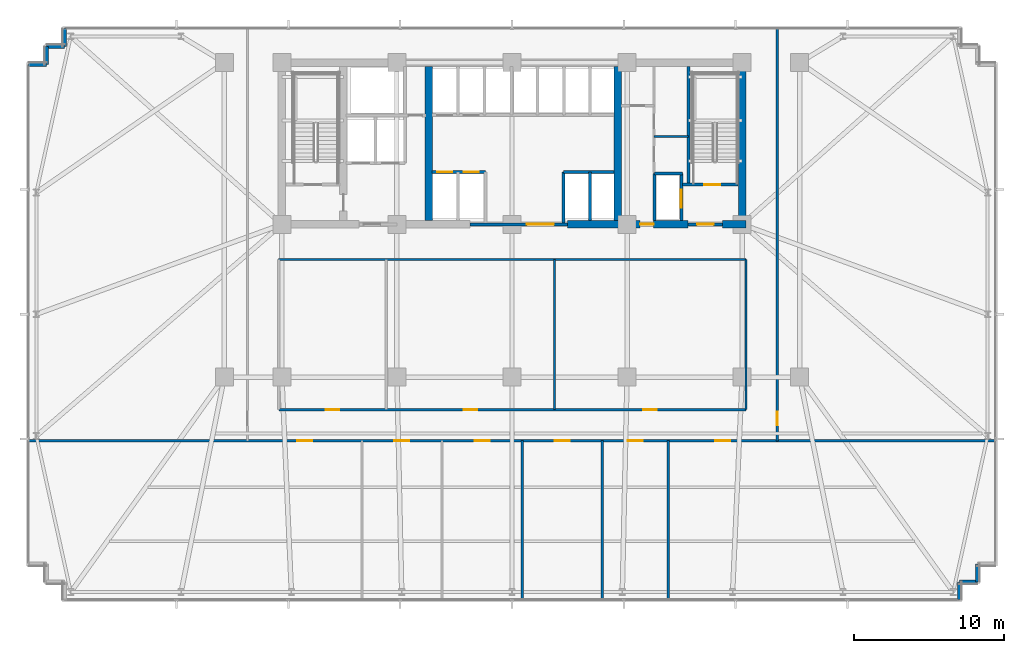
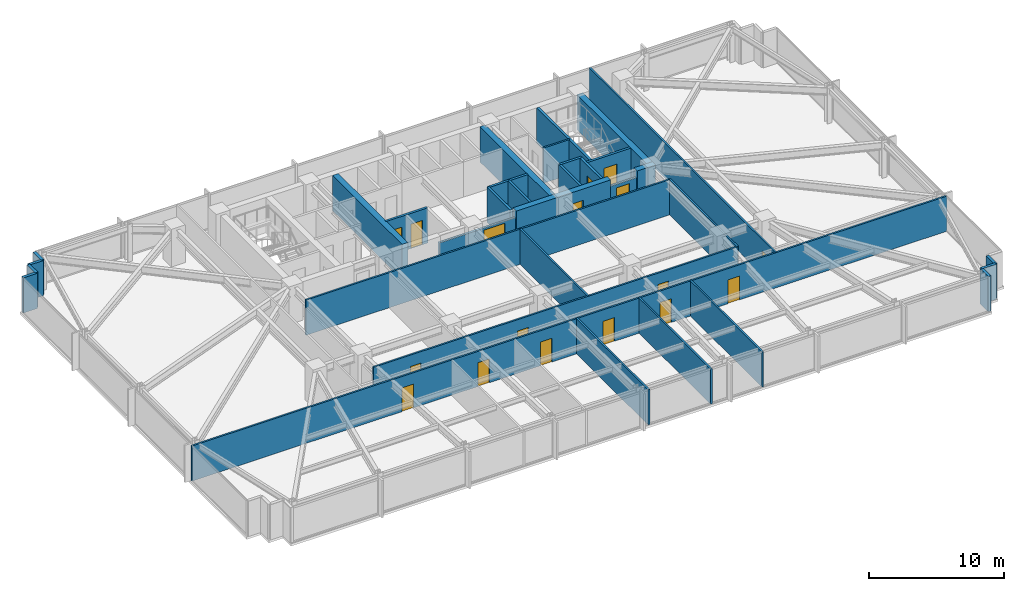
# One storey, part 25 of 32: 33 walls, 17 doors, 17 openings.
"""IFC4 building model written with IfcOpenShell, lengths in metres."""

import ifcopenshell
import ifcopenshell.guid

model = None  # the IFC model being written
_history = None  # IfcOwnerHistory: only IFC2X3 demands one
_inside = {}  # id of a spatial element -> (the spatial element, [elements in it])
_under = {}  # id of a project, library or spatial element -> (it, [spatial elements below it])
_declared = {}  # id of a project -> (the project, [libraries it declares])
_typed = {}  # id of a type object -> (the type object, [elements of that type])
_made_of = {}  # id of a material, layer set ... -> (it, [elements and type objects made of it])


def new_model(schema):
    """Start an empty IFC model of exactly this schema.

    Asked for "IFC4X3", IfcOpenShell would pick the latest addendum, in which some entities
    have other attributes; the version numbers below select the first issue.
    IFC2X3 requires an IfcOwnerHistory on every rooted entity: one is made here for all.
    """
    global model, _history
    if schema == "IFC4X3":
        model = ifcopenshell.file(schema_version=(4, 3, 0, 0))
    else:
        model = ifcopenshell.file(schema=schema)
    _inside.clear()
    _under.clear()
    _declared.clear()
    _typed.clear()
    _made_of.clear()
    _history = None
    if model.schema == "IFC2X3":
        org = make("IfcOrganization", Name="unknown")
        user = make(
            "IfcPersonAndOrganization",
            ThePerson=make("IfcPerson", FamilyName="unknown"),
            TheOrganization=org,
        )
        app = make(
            "IfcApplication",
            ApplicationDeveloper=org,
            Version="unknown",
            ApplicationFullName="unknown",
            ApplicationIdentifier="unknown",
        )
        _history = make(
            "IfcOwnerHistory",
            OwningUser=user,
            OwningApplication=app,
            ChangeAction="ADDED",
            CreationDate=0,
        )
    return model


def make(cls, **values):
    """One entity of the class cls with the attributes given. An attribute that is None is left unset."""
    return model.create_entity(
        cls, **{name: value for name, value in values.items() if value is not None}
    )


def rooted(cls, **values):
    """An entity with a GlobalId (a new one), such as an element, a storey or a relation."""
    return make(cls, GlobalId=ifcopenshell.guid.new(), OwnerHistory=_history, **values)


def si_unit(unit_type, name, prefix=None):
    """IfcSIUnit, for example si_unit("LENGTHUNIT", "METRE", prefix="MILLI")."""
    return make("IfcSIUnit", UnitType=unit_type, Prefix=prefix, Name=name)


def assignment(units):
    """IfcUnitAssignment: the units of a project."""
    return None if units is None else make("IfcUnitAssignment", Units=units)


def point(xyz):
    """IfcCartesianPoint."""
    return None if xyz is None else make("IfcCartesianPoint", Coordinates=xyz)


def direction(xyz):
    """IfcDirection."""
    return None if xyz is None else make("IfcDirection", DirectionRatios=xyz)


def frame(location, z_axis=None, x_axis=None):
    """IfcAxis2Placement3D, a coordinate frame: its origin and axes. An axis left out is left unset."""
    return make(
        "IfcAxis2Placement3D",
        Location=point(location),
        Axis=direction(z_axis),
        RefDirection=direction(x_axis),
    )


def frame_2d(location, x_axis=None):
    """IfcAxis2Placement2D, a coordinate frame in the plane: its origin and x axis."""
    return make(
        "IfcAxis2Placement2D", Location=point(location), RefDirection=direction(x_axis)
    )


def origin():
    """The frame at (0, 0, 0) with its axes left unset."""
    return frame((0.0, 0.0, 0.0))


def place(relative_to, where):
    """IfcLocalPlacement: puts the frame where relative to a parent placement (None: the world)."""
    return make(
        "IfcLocalPlacement", PlacementRelTo=relative_to, RelativePlacement=where
    )


def context(
    kind, dimensions, precision=None, world=None, true_north=None, identifier=None
):
    """IfcGeometricRepresentationContext, for example the 3D "Model" context."""
    return make(
        "IfcGeometricRepresentationContext",
        ContextIdentifier=identifier,
        ContextType=kind,
        CoordinateSpaceDimension=dimensions,
        Precision=precision,
        WorldCoordinateSystem=world,
        TrueNorth=true_north,
    )


def subcontext(parent, identifier, kind, view, scale=None):
    """IfcGeometricRepresentationSubContext, for example "Body" below "Model"."""
    return make(
        "IfcGeometricRepresentationSubContext",
        ContextIdentifier=identifier,
        ContextType=kind,
        ParentContext=parent,
        TargetScale=scale,
        TargetView=view,
    )


def project(units=None, contexts=None):
    """IfcProject with its units and contexts."""
    return rooted(
        "IfcProject",
        Name="project",
        RepresentationContexts=contexts,
        UnitsInContext=assignment(units),
    )


def spatial(cls, under=None, at=None, **own):
    """A site, building, storey or space (cls), placed at a placement, below another one or the project."""
    s = rooted(cls, ObjectPlacement=at, **own)
    if under is not None:
        _under.setdefault(under.id(), (under, []))[1].append(s)
    return s


def profile(cls, at=None, kind="AREA", **sizes):
    """A parametric profile (cls). Its sizes go by their IFC names, for example OverallWidth=200.0."""
    return make(cls, ProfileType=kind, Position=at, **sizes)


def rectangle(**sizes):
    """IfcRectangleProfileDef."""
    return profile("IfcRectangleProfileDef", **sizes)


def extrude(swept, where, along, depth):
    """IfcExtrudedAreaSolid: the profile swept, set in the frame where, extruded along a direction by depth."""
    return make(
        "IfcExtrudedAreaSolid",
        SweptArea=swept,
        Position=where,
        ExtrudedDirection=direction(along),
        Depth=depth,
    )


def shape(context_of_items, identifier, shape_type, items):
    """IfcShapeRepresentation: the items that make up one representation, for example the "Body"."""
    return make(
        "IfcShapeRepresentation",
        ContextOfItems=context_of_items,
        RepresentationIdentifier=identifier,
        RepresentationType=shape_type,
        Items=items,
    )


def material(Name=None, Category=None):
    """IfcMaterial."""
    return make("IfcMaterial", Name=Name, Category=Category)


def layer(
    of_material, thickness, ventilated=None, Name=None, Category=None, Priority=None
):
    """IfcMaterialLayer: one layer of a wall or slab, of a material (None: an air gap)."""
    return make(
        "IfcMaterialLayer",
        Material=of_material,
        LayerThickness=thickness,
        IsVentilated=ventilated,
        Name=Name,
        Category=Category,
        Priority=Priority,
    )


def layer_set(layers, Name=None):
    """IfcMaterialLayerSet."""
    return make("IfcMaterialLayerSet", MaterialLayers=layers, LayerSetName=Name)


def made_of(thing, what):
    """Note that an element or type object is made of a material, layer set ...; save() writes the relation."""
    if what is not None:
        _made_of.setdefault(what.id(), (what, []))[1].append(thing)
    return thing


def type_object(cls, material=None, **own):
    """A type object (cls), such as IfcWallType, which elements share."""
    return made_of(rooted(cls, **own), material)


def element(
    cls,
    number,
    at=None,
    inside=None,
    cuts=None,
    type_object=None,
    material=None,
    context=None,
    identifier="Body",
    shape_type=None,
    held_by="IfcProductDefinitionShape",
    body=None,
    shapes=None,
    **own,
):
    """One element of the class cls, such as IfcWall. Its Tag is "e" and its number.

    at: its placement. inside: the storey or other place that contains it. cuts: it is an
    opening in that element (IfcRelVoidsElement). A single representation is given by context,
    identifier, shape_type and body (its items); several are given by shapes. held_by: the class
    of the entity that holds the representations. save() writes the other relations.
    """
    e = rooted(cls, Tag="e%d" % number, ObjectPlacement=at, **own)
    if body is not None:
        shapes = [shape(context, identifier, shape_type, body)]
    if shapes is not None:
        e.Representation = make(held_by, Representations=shapes)
    if inside is not None:
        _inside.setdefault(inside.id(), (inside, []))[1].append(e)
    if cuts is not None:
        rooted(
            "IfcRelVoidsElement", RelatingBuildingElement=cuts, RelatedOpeningElement=e
        )
    if type_object is not None:
        _typed.setdefault(type_object.id(), (type_object, []))[1].append(e)
    return made_of(e, material)


def fill(opening, filler):
    """IfcRelFillsElement: the door or window that sits in an opening."""
    return rooted(
        "IfcRelFillsElement",
        RelatingOpeningElement=opening,
        RelatedBuildingElement=filler,
    )


def aggregate(whole, parts):
    """IfcRelAggregates: a whole, such as a stair, and the parts it consists of."""
    return rooted("IfcRelAggregates", RelatingObject=whole, RelatedObjects=parts)


def save(model, path):
    """Write the relations noted so far, then the file.

    IfcRelAggregates (storeys below a building ...), IfcRelContainedInSpatialStructure (elements
    in a storey), IfcRelDefinesByType, IfcRelAssociatesMaterial and IfcRelDeclares: one each for
    every whole, place, type object, material and project.
    """
    for whole, parts in _under.values():
        aggregate(whole, parts)
    for where, things in _inside.values():
        rooted(
            "IfcRelContainedInSpatialStructure",
            RelatedElements=things,
            RelatingStructure=where,
        )
    for kind, things in _typed.values():
        rooted("IfcRelDefinesByType", RelatedObjects=things, RelatingType=kind)
    for what, things in _made_of.values():
        rooted("IfcRelAssociatesMaterial", RelatedObjects=things, RelatingMaterial=what)
    for by, libraries in _declared.values():
        rooted("IfcRelDeclares", RelatingContext=by, RelatedDefinitions=libraries)
    model.write(path)


model = new_model("IFC4")

# Units and contexts
model_context = context("Model", 3, precision=1e-05, world=origin(), true_north=direction((0.0, 1.0)))
body_context = subcontext(model_context, "Body", "Model", "MODEL_VIEW")
ifc_project = project(units=[si_unit("LENGTHUNIT", "METRE"), si_unit("AREAUNIT", "SQUARE_METRE"), si_unit("VOLUMEUNIT", "CUBIC_METRE"), si_unit("PLANEANGLEUNIT", "RADIAN"), si_unit("MASSUNIT", "GRAM", prefix="KILO")], contexts=[model_context])

# Site, building, storey
site_placement = place(None, origin())
site = spatial("IfcSite", under=ifc_project, at=site_placement, CompositionType="ELEMENT")
building_placement = place(site_placement, origin())
building = spatial("IfcBuilding", under=site, at=building_placement, Name="Yelkora Congress Tower", CompositionType="ELEMENT")
storey_placement = place(building_placement, frame((0.0, 0.0, 40.60009765625)))
storey = spatial("IfcBuildingStorey", under=building, at=storey_placement, Name="L09", CompositionType="ELEMENT", Elevation=40.60009765625)

# Wall
ifc_material_1 = material(Name="Concrete C50/60", Category="concrete")
ifc_layer_1 = layer(ifc_material_1, 0.219970703125)
ifc_layer_set_1 = layer_set([ifc_layer_1], Name="Concrete C50/60")
wall_type_1 = type_object("IfcWallType", Name="WALL-CORE-INT-220", PredefinedType="SHEAR", material=ifc_layer_set_1)
wall_1_placement = place(storey_placement, frame((50.179931640625, 38.050048828125, 0.0), z_axis=(0.0, 0.0, 1.0), x_axis=(0.0, 1.0, 0.0)))
element("IfcWall", 1, at=wall_1_placement, inside=storey, type_object=wall_type_1, Name="L09 ST02 West Stair Shear Wall", PredefinedType="SHEAR", context=body_context, shape_type="SweptSolid", body=[
    extrude(rectangle(XDim=7.89990234375, YDim=0.219970703125, at=frame_2d((3.949951171875, 0.0))), origin(), (0.0, 0.0, 1.0), 3.179931640625),
])

# Wall, opening, door
ifc_material_2 = material(Name="Concrete C60/75", Category="concrete")
ifc_layer_2 = layer(ifc_material_2, 0.5)
ifc_layer_set_2 = layer_set([ifc_layer_2], Name="Concrete C60/75")
wall_type_2 = type_object("IfcWallType", Name="WALL-CORE-INT-500", PredefinedType="SHEAR", material=ifc_layer_set_2)
wall_2_placement = place(storey_placement, frame((42.10009765625, 35.39990234375, 0.0), z_axis=(0.0, 0.0, 1.0), x_axis=(1.0, 0.0, 0.0)))
wall_2 = element("IfcWall", 2, at=wall_2_placement, inside=storey, type_object=wall_type_2, Name="L09 Rear Core South-East Shear Wall A", PredefinedType="SHEAR", context=body_context, shape_type="SweptSolid", body=[
    extrude(rectangle(XDim=8.0498046875, YDim=0.5, at=frame_2d((4.02490234375, 0.0))), origin(), (0.0, 0.0, 1.0), 3.179931640625),
])
opening_1_placement = place(wall_2_placement, frame((4.85009765625, 0.0, 0.0)))
opening_1 = element("IfcOpeningElement", 3, at=opening_1_placement, cuts=wall_2, Name="Opening DR-090F6", PredefinedType="OPENING", context=body_context, shape_type="SweptSolid", body=[
    extrude(rectangle(XDim=0.89990234375, YDim=2.14990234375, at=frame_2d((0.449951171875, 1.074951171875))), frame((0.0, 0.260009765625, 0.0), z_axis=(0.0, -1.0, 0.0), x_axis=(1.0, 0.0, 0.0)), (0.0, 0.0, 1.0), 0.52001953125),
])
ifc_material_3 = material(Name="Painted steel riser fire door leaf", Category="steel")
door_type_1 = type_object("IfcDoorType", Name="DOOR-FD60-900", OperationType="NOTDEFINED", PredefinedType="DOOR", material=ifc_material_3)
door_1_placement = place(opening_1_placement, origin())
door_1 = element("IfcDoor", 4, at=door_1_placement, inside=storey, type_object=door_type_1, Name="L09 Core Washroom Lobby Door", OperationType="SINGLE_SWING_RIGHT", OverallHeight=2.14990234375, OverallWidth=0.89990234375, PredefinedType="DOOR", context=body_context, shape_type="SweptSolid", body=[
    extrude(rectangle(XDim=0.89990234375, YDim=2.14990234375, at=frame_2d((0.449951171875, 1.074951171875))), frame((0.0, 0.02490234375, 0.0), z_axis=(0.0, -1.0, 0.0), x_axis=(1.0, 0.0, 0.0)), (0.0, 0.0, 1.0), 0.050048828125),
])
fill(opening_1, door_1)

# Walls
wall_3_placement = place(storey_placement, frame((52.449951171875, 35.39990234375, 0.0), z_axis=(0.0, 0.0, 1.0), x_axis=(1.0, 0.0, 0.0)))
element("IfcWall", 5, at=wall_3_placement, inside=storey, type_object=wall_type_2, Name="L09 Rear Core South-East Shear Wall B", PredefinedType="SHEAR", context=body_context, shape_type="SweptSolid", body=[
    extrude(rectangle(XDim=1.56005859375, YDim=0.5, at=frame_2d((0.780029296875, 0.0))), origin(), (0.0, 0.0, 1.0), 3.179931640625),
])
for number, where, z_axis, x_axis, name in (
    (6, (32.85009765625, 35.64990234375, 0.0), (0.0, 0.0, 1.0), (0.0, 1.0, 0.0), "L09 Rear Core Cross Shear Wall C2"),
    (7, (45.449951171875, 35.64990234375, 0.0), (0.0, 0.0, 1.0), (0.0, 1.0, 0.0), "L09 Rear Core Cross Shear Wall C3"),
    (8, (53.760009765625, 35.64990234375, 0.0), (0.0, 0.0, 1.0), (0.0, 1.0, 0.0), "L09 Rear Core Cross Shear Wall E"),
):
    element("IfcWall", number, at=place(storey_placement, frame(where, z_axis=z_axis, x_axis=x_axis)), inside=storey, type_object=wall_type_2, Name=name, PredefinedType="SHEAR", context=body_context, shape_type="SweptSolid", body=[
        extrude(rectangle(XDim=10.300048828125, YDim=0.5, at=frame_2d((5.14990234375, 0.0))), origin(), (0.0, 0.0, 1.0), 3.179931640625),
    ])
ifc_material_4 = material(Name="Concrete C40/50", Category="concrete")
ifc_layer_3 = layer(ifc_material_4, 0.239990234375)
ifc_layer_set_3 = layer_set([ifc_layer_3], Name="Concrete C40/50")
wall_type_3 = type_object("IfcWallType", Name="WALL-EXT-LIMESTONE-240", PredefinedType="SOLIDWALL", material=ifc_layer_set_3)
wall_4_placement = place(storey_placement, frame((6.139892578125, 46.06005859375, 0.0), z_axis=(0.0, 0.0, 1.0), x_axis=(1.0, 0.0, 0.0)))
element("IfcWall", 9, at=wall_4_placement, inside=storey, type_object=wall_type_3, Name="L09 Serrated Corner Limestone Pier 6", PredefinedType="SOLIDWALL", context=body_context, shape_type="SweptSolid", body=[
    extrude(rectangle(XDim=1.2001953125, YDim=0.239990234375, at=frame_2d((0.60009765625, 0.0))), origin(), (0.0, 0.0, 1.0), 3.179931640625),
])
for number, where, z_axis, x_axis, name in (
    (10, (7.340087890625, 46.06005859375, 0.0), (0.0, 0.0, 1.0), (0.0, 1.0, 0.0), "L09 Serrated Corner Limestone Pier 7"),
    (11, (7.340087890625, 47.260009765625, 0.0), (0.0, 0.0, 1.0), (1.0, 0.0, 0.0), "L09 Serrated Corner Limestone Pier 8"),
    (12, (8.5400390625, 47.260009765625, 0.0), (0.0, 0.0, 1.0), (0.0, 1.0, 0.0), "L09 Serrated Corner Limestone Pier 9"),
    (13, (69.4599609375, 12.739990234375, 0.0), (0.0, 0.0, 1.0), (0.0, -1.0, 0.0), "L09 Serrated Corner Limestone Pier 17"),
    (14, (69.4599609375, 11.5400390625, 0.0), (0.0, 0.0, 1.0), (-1.0, 0.0, 0.0), "L09 Serrated Corner Limestone Pier 18"),
    (15, (68.260009765625, 11.5400390625, 0.0), (0.0, 0.0, 1.0), (0.0, -1.0, 0.0), "L09 Serrated Corner Limestone Pier 19"),
):
    element("IfcWall", number, at=place(storey_placement, frame(where, z_axis=z_axis, x_axis=x_axis)), inside=storey, type_object=wall_type_3, Name=name, PredefinedType="SOLIDWALL", context=body_context, shape_type="SweptSolid", body=[
        extrude(rectangle(XDim=1.199951171875, YDim=0.239990234375, at=frame_2d((0.60009765625, 0.0))), origin(), (0.0, 0.0, 1.0), 3.179931640625),
    ])
ifc_material_5 = material(Name="Acoustic metal-stud gypsum partition", Category="gypsum")
ifc_layer_4 = layer(ifc_material_5, 0.14990234375)
ifc_layer_set_4 = layer_set([ifc_layer_4], Name="Acoustic metal-stud gypsum partition")
wall_type_4 = type_object("IfcWallType", Name="WALL-INT-150-NR", PredefinedType="PARTITIONING", material=ifc_layer_set_4)
wall_5_placement = place(storey_placement, frame((47.8798828125, 41.260009765625, 0.0), z_axis=(0.0, 0.0, 1.0), x_axis=(1.0, 0.0, 0.0)))
element("IfcWall", 16, at=wall_5_placement, inside=storey, type_object=wall_type_4, Name="L09 Partition Wall 29", PredefinedType="PARTITIONING", context=body_context, shape_type="SweptSolid", body=[
    extrude(rectangle(XDim=2.300048828125, YDim=0.14990234375, at=frame_2d((1.14990234375, 0.0))), origin(), (0.0, 0.0, 1.0), 3.179931640625),
])
for number, where, z_axis, x_axis, name in (
    (17, (39.075927734375, 10.280029296875, 0.0), (0.0, 0.0, 1.0), (0.0, 1.0, 0.0), "L09 Partition Wall 33"),
    (18, (44.422119140625, 10.280029296875, 0.0), (0.0, 0.0, 1.0), (0.0, 1.0, 0.0), "L09 Partition Wall 34"),
    (19, (48.824951171875, 10.280029296875, 0.0), (0.0, 0.0, 1.0), (0.0, 1.0, 0.0), "L09 Partition Wall 35"),
):
    element("IfcWall", number, at=place(storey_placement, frame(where, z_axis=z_axis, x_axis=x_axis)), inside=storey, type_object=wall_type_4, Name=name, PredefinedType="PARTITIONING", context=body_context, shape_type="SweptSolid", body=[
        extrude(rectangle(XDim=10.68994140625, YDim=0.14990234375, at=frame_2d((5.344970703125, 0.0))), origin(), (0.0, 0.0, 1.0), 3.179931640625),
    ])

# Wall, openings, doors
wall_6_placement = place(storey_placement, frame((6.080078125, 20.949951171875, 0.0), z_axis=(0.0, 0.0, 1.0), x_axis=(1.0, 0.0, 0.0)))
wall_6 = element("IfcWall", 20, at=wall_6_placement, inside=storey, type_object=wall_type_4, Name="L09 South Spine Wall", PredefinedType="PARTITIONING", context=body_context, shape_type="SweptSolid", body=[
    extrude(rectangle(XDim=64.639892578125, YDim=0.14990234375, at=frame_2d((32.31982421875, 0.0))), origin(), (0.0, 0.0, 1.0), 3.179931640625),
])
opening_2_placement = place(wall_6_placement, frame((17.986572265625, 0.0, 0.0)))
opening_2 = element("IfcOpeningElement", 21, at=opening_2_placement, cuts=wall_6, Name="Opening DR-100N", PredefinedType="OPENING", context=body_context, shape_type="SweptSolid", body=[
    extrude(rectangle(XDim=1.0, YDim=2.14990234375, at=frame_2d((0.5, 1.074951171875))), frame((0.0, 0.0849609375, 0.0), z_axis=(0.0, -1.0, 0.0), x_axis=(1.0, 0.0, 0.0)), (0.0, 0.0, 1.0), 0.169921875),
])
opening_3_placement = place(wall_6_placement, frame((24.4765625, 0.0, 0.0)))
opening_3 = element("IfcOpeningElement", 22, at=opening_3_placement, cuts=wall_6, Name="Opening DR-100N", PredefinedType="OPENING", context=body_context, shape_type="SweptSolid", body=[
    extrude(rectangle(XDim=1.0, YDim=2.14990234375, at=frame_2d((0.5, 1.074951171875))), frame((0.0, 0.0849609375, 0.0), z_axis=(0.0, -1.0, 0.0), x_axis=(1.0, 0.0, 0.0)), (0.0, 0.0, 1.0), 0.169921875),
])
opening_4_placement = place(wall_6_placement, frame((29.822998046875, 0.0, 0.0)))
opening_4 = element("IfcOpeningElement", 23, at=opening_4_placement, cuts=wall_6, Name="Opening DR-100N", PredefinedType="OPENING", context=body_context, shape_type="SweptSolid", body=[
    extrude(rectangle(XDim=1.0, YDim=2.14990234375, at=frame_2d((0.5, 1.074951171875))), frame((0.0, 0.0849609375, 0.0), z_axis=(0.0, -1.0, 0.0), x_axis=(1.0, 0.0, 0.0)), (0.0, 0.0, 1.0), 0.169921875),
])
opening_5_placement = place(wall_6_placement, frame((35.1689453125, 0.0, 0.0)))
opening_5 = element("IfcOpeningElement", 24, at=opening_5_placement, cuts=wall_6, Name="Opening DR-100N", PredefinedType="OPENING", context=body_context, shape_type="SweptSolid", body=[
    extrude(rectangle(XDim=1.0, YDim=2.14990234375, at=frame_2d((0.5, 1.074951171875))), frame((0.0, 0.0849609375, 0.0), z_axis=(0.0, -1.0, 0.0), x_axis=(1.0, 0.0, 0.0)), (0.0, 0.0, 1.0), 0.169921875),
])
opening_6_placement = place(wall_6_placement, frame((40.04345703125, 0.0, 0.0)))
opening_6 = element("IfcOpeningElement", 25, at=opening_6_placement, cuts=wall_6, Name="Opening DR-100N", PredefinedType="OPENING", context=body_context, shape_type="SweptSolid", body=[
    extrude(rectangle(XDim=1.0, YDim=2.14990234375, at=frame_2d((0.5, 1.074951171875))), frame((0.0, 0.0849609375, 0.0), z_axis=(0.0, -1.0, 0.0), x_axis=(1.0, 0.0, 0.0)), (0.0, 0.0, 1.0), 0.169921875),
])
opening_7_placement = place(wall_6_placement, frame((45.882568359375, 0.0, 0.0)))
opening_7 = element("IfcOpeningElement", 26, at=opening_7_placement, cuts=wall_6, Name="Opening DR-100N", PredefinedType="OPENING", context=body_context, shape_type="SweptSolid", body=[
    extrude(rectangle(XDim=1.0, YDim=2.14990234375, at=frame_2d((0.5, 1.074951171875))), frame((0.0, 0.0849609375, 0.0), z_axis=(0.0, -1.0, 0.0), x_axis=(1.0, 0.0, 0.0)), (0.0, 0.0, 1.0), 0.169921875),
])
ifc_material_6 = material(Name="Solid-core Anatolian oak veneer door", Category="wood")
door_type_2 = type_object("IfcDoorType", Name="DOOR-INT-1000", OperationType="NOTDEFINED", PredefinedType="DOOR", material=ifc_material_6)
door_2_placement = place(opening_2_placement, origin())
door_2 = element("IfcDoor", 27, at=door_2_placement, inside=storey, type_object=door_type_2, Name="L09 Pantry & Servery Door", OperationType="SINGLE_SWING_LEFT", OverallHeight=2.14990234375, OverallWidth=1.0, PredefinedType="DOOR", context=body_context, shape_type="SweptSolid", body=[
    extrude(rectangle(XDim=1.0, YDim=2.14990234375, at=frame_2d((0.5, 1.074951171875))), frame((0.0, 0.02490234375, 0.0), z_axis=(0.0, -1.0, 0.0), x_axis=(1.0, 0.0, 0.0)), (0.0, 0.0, 1.0), 0.050048828125),
])
fill(opening_2, door_2)
door_3_placement = place(opening_3_placement, origin())
door_3 = element("IfcDoor", 28, at=door_3_placement, inside=storey, type_object=door_type_2, Name="L09 Open-Plan Office Door", OperationType="SINGLE_SWING_RIGHT", OverallHeight=2.14990234375, OverallWidth=1.0, PredefinedType="DOOR", context=body_context, shape_type="SweptSolid", body=[
    extrude(rectangle(XDim=1.0, YDim=2.14990234375, at=frame_2d((0.5, 1.074951171875))), frame((0.0, 0.02490234375, 0.0), z_axis=(0.0, -1.0, 0.0), x_axis=(1.0, 0.0, 0.0)), (0.0, 0.0, 1.0), 0.050048828125),
])
fill(opening_3, door_3)
door_4_placement = place(opening_4_placement, origin())
door_4 = element("IfcDoor", 29, at=door_4_placement, inside=storey, type_object=door_type_2, Name="L09 Wellness Study Room Door", OperationType="SINGLE_SWING_LEFT", OverallHeight=2.14990234375, OverallWidth=1.0, PredefinedType="DOOR", context=body_context, shape_type="SweptSolid", body=[
    extrude(rectangle(XDim=1.0, YDim=2.14990234375, at=frame_2d((0.5, 1.074951171875))), frame((0.0, 0.02490234375, 0.0), z_axis=(0.0, -1.0, 0.0), x_axis=(1.0, 0.0, 0.0)), (0.0, 0.0, 1.0), 0.050048828125),
])
fill(opening_4, door_4)
door_5_placement = place(opening_5_placement, origin())
door_5 = element("IfcDoor", 30, at=door_5_placement, inside=storey, type_object=door_type_2, Name="L09 Store Print Door", OperationType="SINGLE_SWING_RIGHT", OverallHeight=2.14990234375, OverallWidth=1.0, PredefinedType="DOOR", context=body_context, shape_type="SweptSolid", body=[
    extrude(rectangle(XDim=1.0, YDim=2.14990234375, at=frame_2d((0.5, 1.074951171875))), frame((0.0, 0.02490234375, 0.0), z_axis=(0.0, -1.0, 0.0), x_axis=(1.0, 0.0, 0.0)), (0.0, 0.0, 1.0), 0.050048828125),
])
fill(opening_5, door_5)
door_6_placement = place(opening_6_placement, origin())
door_6 = element("IfcDoor", 31, at=door_6_placement, inside=storey, type_object=door_type_2, Name="L09 Conference Boardroom Door", OperationType="SINGLE_SWING_LEFT", OverallHeight=2.14990234375, OverallWidth=1.0, PredefinedType="DOOR", context=body_context, shape_type="SweptSolid", body=[
    extrude(rectangle(XDim=1.0, YDim=2.14990234375, at=frame_2d((0.5, 1.074951171875))), frame((0.0, 0.02490234375, 0.0), z_axis=(0.0, -1.0, 0.0), x_axis=(1.0, 0.0, 0.0)), (0.0, 0.0, 1.0), 0.050048828125),
])
fill(opening_6, door_6)
door_7_placement = place(opening_7_placement, origin())
door_7 = element("IfcDoor", 32, at=door_7_placement, inside=storey, type_object=door_type_2, Name="L09 Conference Boardroom Door", OperationType="SINGLE_SWING_RIGHT", OverallHeight=2.14990234375, OverallWidth=1.0, PredefinedType="DOOR", context=body_context, shape_type="SweptSolid", body=[
    extrude(rectangle(XDim=1.0, YDim=2.14990234375, at=frame_2d((0.5, 1.074951171875))), frame((0.0, 0.02490234375, 0.0), z_axis=(0.0, -1.0, 0.0), x_axis=(1.0, 0.0, 0.0)), (0.0, 0.0, 1.0), 0.050048828125),
])
fill(opening_7, door_7)

# Wall, opening, door
wall_7_placement = place(storey_placement, frame((56.10009765625, 20.949951171875, 0.0), z_axis=(0.0, 0.0, 1.0), x_axis=(0.0, 1.0, 0.0)))
wall_7 = element("IfcWall", 33, at=wall_7_placement, inside=storey, type_object=wall_type_4, Name="L09 Partition Wall 38", PredefinedType="PARTITIONING", context=body_context, shape_type="SweptSolid", body=[
    extrude(rectangle(XDim=27.570068359375, YDim=0.14990234375, at=frame_2d((13.78515625, 0.0))), origin(), (0.0, 0.0, 1.0), 3.179931640625),
])
opening_8_placement = place(wall_7_placement, frame((1.030029296875, 0.0, 0.0)))
opening_8 = element("IfcOpeningElement", 34, at=opening_8_placement, cuts=wall_7, Name="Opening DR-090N", PredefinedType="OPENING", context=body_context, shape_type="SweptSolid", body=[
    extrude(rectangle(XDim=0.89990234375, YDim=2.14990234375, at=frame_2d((0.449951171875, 1.074951171875))), frame((0.0, 0.0849609375, 0.0), z_axis=(0.0, -1.0, 0.0), x_axis=(1.0, 0.0, 0.0)), (0.0, 0.0, 1.0), 0.169921875),
])
ifc_material_7 = material(Name="Moisture-resistant laminate door leaf", Category="wood")
door_type_3 = type_object("IfcDoorType", Name="DOOR-INT-900", OperationType="NOTDEFINED", PredefinedType="DOOR", material=ifc_material_7)
door_8_placement = place(opening_8_placement, origin())
door_8 = element("IfcDoor", 35, at=door_8_placement, inside=storey, type_object=door_type_3, Name="L09 E Wing Door", OperationType="SINGLE_SWING_RIGHT", OverallHeight=2.14990234375, OverallWidth=0.89990234375, PredefinedType="DOOR", context=body_context, shape_type="SweptSolid", body=[
    extrude(rectangle(XDim=0.89990234375, YDim=2.14990234375, at=frame_2d((0.449951171875, 1.074951171875))), frame((0.0, 0.02490234375, 0.0), z_axis=(0.0, -1.0, 0.0), x_axis=(1.0, 0.0, 0.0)), (0.0, 0.0, 1.0), 0.050048828125),
])
fill(opening_8, door_8)

# Walls
wall_8_placement = place(storey_placement, frame((54.02001953125, 23.030029296875, 0.0), z_axis=(0.0, 0.0, 1.0), x_axis=(0.0, 1.0, 0.0)))
element("IfcWall", 36, at=wall_8_placement, inside=storey, type_object=wall_type_4, Name="L09 Partition Wall 40", PredefinedType="PARTITIONING", context=body_context, shape_type="SweptSolid", body=[
    extrude(rectangle(XDim=10.02001953125, YDim=0.14990234375, at=frame_2d((5.010009765625, 0.0))), origin(), (0.0, 0.0, 1.0), 3.179931640625),
])
wall_9_placement = place(storey_placement, frame((22.830078125, 33.050048828125, 0.0), z_axis=(0.0, 0.0, 1.0), x_axis=(1.0, 0.0, 0.0)))
element("IfcWall", 37, at=wall_9_placement, inside=storey, type_object=wall_type_4, Name="L09 Partition Wall 41", PredefinedType="PARTITIONING", context=body_context, shape_type="SweptSolid", body=[
    extrude(rectangle(XDim=31.18994140625, YDim=0.14990234375, at=frame_2d((15.594970703125, 0.0))), origin(), (0.0, 0.0, 1.0), 3.179931640625),
])
wall_10_placement = place(storey_placement, frame((41.22998046875, 23.030029296875, 0.0), z_axis=(0.0, 0.0, 1.0), x_axis=(0.0, 1.0, 0.0)))
element("IfcWall", 38, at=wall_10_placement, inside=storey, type_object=wall_type_4, Name="L09 Partition Wall 43", PredefinedType="PARTITIONING", context=body_context, shape_type="SweptSolid", body=[
    extrude(rectangle(XDim=10.02001953125, YDim=0.14990234375, at=frame_2d((5.010009765625, 0.0))), origin(), (0.0, 0.0, 1.0), 3.179931640625),
])

# Wall, openings, doors
wall_11_placement = place(storey_placement, frame((22.840087890625, 23.030029296875, 0.0), z_axis=(0.0, 0.0, 1.0), x_axis=(1.0, 0.0, 0.0)))
wall_11 = element("IfcWall", 39, at=wall_11_placement, inside=storey, type_object=wall_type_4, Name="L09 Partition Wall 44", PredefinedType="PARTITIONING", context=body_context, shape_type="SweptSolid", body=[
    extrude(rectangle(XDim=31.169921875, YDim=0.14990234375, at=frame_2d((15.5849609375, 0.0))), origin(), (0.0, 0.0, 1.0), 3.179931640625),
])
opening_9_placement = place(wall_11_placement, frame((3.134521484375, 0.0, 0.0)))
opening_9 = element("IfcOpeningElement", 40, at=opening_9_placement, cuts=wall_11, Name="Opening DR-090N", PredefinedType="OPENING", context=body_context, shape_type="SweptSolid", body=[
    extrude(rectangle(XDim=0.89990234375, YDim=2.14990234375, at=frame_2d((0.449951171875, 1.074951171875))), frame((0.0, 0.0849609375, 0.0), z_axis=(0.0, -1.0, 0.0), x_axis=(1.0, 0.0, 0.0)), (0.0, 0.0, 1.0), 0.169921875),
])
opening_10_placement = place(wall_11_placement, frame((12.32958984375, 0.0, 0.0)))
opening_10 = element("IfcOpeningElement", 41, at=opening_10_placement, cuts=wall_11, Name="Opening DR-090N", PredefinedType="OPENING", context=body_context, shape_type="SweptSolid", body=[
    extrude(rectangle(XDim=0.89990234375, YDim=2.14990234375, at=frame_2d((0.449951171875, 1.074951171875))), frame((0.0, 0.0849609375, 0.0), z_axis=(0.0, -1.0, 0.0), x_axis=(1.0, 0.0, 0.0)), (0.0, 0.0, 1.0), 0.169921875),
])
opening_11_placement = place(wall_11_placement, frame((24.330078125, 0.0, 0.0)))
opening_11 = element("IfcOpeningElement", 42, at=opening_11_placement, cuts=wall_11, Name="Opening DR-090N", PredefinedType="OPENING", context=body_context, shape_type="SweptSolid", body=[
    extrude(rectangle(XDim=0.89990234375, YDim=2.14990234375, at=frame_2d((0.449951171875, 1.074951171875))), frame((0.0, 0.0849609375, 0.0), z_axis=(0.0, -1.0, 0.0), x_axis=(1.0, 0.0, 0.0)), (0.0, 0.0, 1.0), 0.169921875),
])
door_9_placement = place(opening_9_placement, origin())
door_9 = element("IfcDoor", 43, at=door_9_placement, inside=storey, type_object=door_type_3, Name="L09 Executive Boardroom Door", OperationType="SINGLE_SWING_LEFT", OverallHeight=2.14990234375, OverallWidth=0.89990234375, PredefinedType="DOOR", context=body_context, shape_type="SweptSolid", body=[
    extrude(rectangle(XDim=0.89990234375, YDim=2.14990234375, at=frame_2d((0.449951171875, 1.074951171875))), frame((0.0, 0.02490234375, 0.0), z_axis=(0.0, -1.0, 0.0), x_axis=(1.0, 0.0, 0.0)), (0.0, 0.0, 1.0), 0.050048828125),
])
fill(opening_9, door_9)
door_10_placement = place(opening_10_placement, origin())
door_10 = element("IfcDoor", 44, at=door_10_placement, inside=storey, type_object=door_type_3, Name="L09 Huddle Seminar Room Door", OperationType="SINGLE_SWING_RIGHT", OverallHeight=2.14990234375, OverallWidth=0.89990234375, PredefinedType="DOOR", context=body_context, shape_type="SweptSolid", body=[
    extrude(rectangle(XDim=0.89990234375, YDim=2.14990234375, at=frame_2d((0.449951171875, 1.074951171875))), frame((0.0, 0.02490234375, 0.0), z_axis=(0.0, -1.0, 0.0), x_axis=(1.0, 0.0, 0.0)), (0.0, 0.0, 1.0), 0.050048828125),
])
fill(opening_10, door_10)
door_11_placement = place(opening_11_placement, origin())
door_11 = element("IfcDoor", 45, at=door_11_placement, inside=storey, type_object=door_type_3, Name="L09 Breakout Training Room Door", OperationType="SINGLE_SWING_LEFT", OverallHeight=2.14990234375, OverallWidth=0.89990234375, PredefinedType="DOOR", context=body_context, shape_type="SweptSolid", body=[
    extrude(rectangle(XDim=0.89990234375, YDim=2.14990234375, at=frame_2d((0.449951171875, 1.074951171875))), frame((0.0, 0.02490234375, 0.0), z_axis=(0.0, -1.0, 0.0), x_axis=(1.0, 0.0, 0.0)), (0.0, 0.0, 1.0), 0.050048828125),
])
fill(opening_11, door_11)

# Wall, opening, door
ifc_material_8 = material(Name="Autoclaved aerated concrete blockwork", Category="masonry")
ifc_layer_5 = layer(ifc_material_8, 0.199951171875)
ifc_layer_set_5 = layer_set([ifc_layer_5], Name="Autoclaved aerated concrete blockwork")
wall_type_5 = type_object("IfcWallType", Name="WALL-INT-200-R120", PredefinedType="PARTITIONING", material=ifc_layer_set_5)
wall_12_placement = place(storey_placement, frame((35.60009765625, 35.39990234375, 0.0), z_axis=(0.0, 0.0, 1.0), x_axis=(1.0, 0.0, 0.0)))
wall_12 = element("IfcWall", 46, at=wall_12_placement, inside=storey, type_object=wall_type_5, Name="L09 Main Lift Lobby South Portal Wall", PredefinedType="PARTITIONING", context=body_context, shape_type="SweptSolid", body=[
    extrude(rectangle(XDim=6.5, YDim=0.199951171875, at=frame_2d((3.25, 0.0))), origin(), (0.0, 0.0, 1.0), 2.474853515625),
])
opening_12_placement = place(wall_12_placement, frame((3.800048828125, 0.0, 0.0)))
opening_12 = element("IfcOpeningElement", 47, at=opening_12_placement, cuts=wall_12, Name="Opening DR-180D", PredefinedType="OPENING", context=body_context, shape_type="SweptSolid", body=[
    extrude(rectangle(XDim=1.800048828125, YDim=2.300048828125, at=frame_2d((0.89990234375, 1.14990234375))), frame((0.0, 0.10986328125, 0.0), z_axis=(0.0, -1.0, 0.0), x_axis=(1.0, 0.0, 0.0)), (0.0, 0.0, 1.0), 0.219970703125),
])
ifc_material_9 = material(Name="Acoustic double congress hall doors", Category="wood")
door_type_4 = type_object("IfcDoorType", Name="DOOR-DBL-1800", OperationType="DOUBLE_DOOR_SINGLE_SWING", PredefinedType="DOOR", material=ifc_material_9)
door_12_placement = place(opening_12_placement, origin())
door_12 = element("IfcDoor", 48, at=door_12_placement, inside=storey, type_object=door_type_4, Name="L09 Main Lift Lobby Portal Door", OperationType="DOUBLE_DOOR_SINGLE_SWING", OverallHeight=2.300048828125, OverallWidth=1.800048828125, PredefinedType="DOOR", context=body_context, shape_type="SweptSolid", body=[
    extrude(rectangle(XDim=1.800048828125, YDim=2.300048828125, at=frame_2d((0.89990234375, 1.14990234375))), frame((0.0, 0.02490234375, 0.0), z_axis=(0.0, -1.0, 0.0), x_axis=(1.0, 0.0, 0.0)), (0.0, 0.0, 1.0), 0.050048828125),
])
fill(opening_12, door_12)

# Wall, openings, doors
wall_13_placement = place(storey_placement, frame((33.050048828125, 38.89990234375, 0.0), z_axis=(0.0, 0.0, 1.0), x_axis=(1.0, 0.0, 0.0)))
wall_13 = element("IfcWall", 49, at=wall_13_placement, inside=storey, type_object=wall_type_5, Name="L09 Partition Wall 11", PredefinedType="PARTITIONING", context=body_context, shape_type="SweptSolid", body=[
    extrude(rectangle(XDim=3.570068359375, YDim=0.199951171875, at=frame_2d((1.78515625, 0.0))), origin(), (0.0, 0.0, 1.0), 3.179931640625),
])
opening_13_placement = place(wall_13_placement, frame((0.375, 0.0, 0.0)))
opening_13 = element("IfcOpeningElement", 50, at=opening_13_placement, cuts=wall_13, Name="Opening LD-PS10", PredefinedType="OPENING", context=body_context, shape_type="SweptSolid", body=[
    extrude(rectangle(XDim=1.0, YDim=2.199951171875, at=frame_2d((0.5, 1.10009765625))), frame((0.0, 0.10986328125, 0.0), z_axis=(0.0, -1.0, 0.0), x_axis=(1.0, 0.0, 0.0)), (0.0, 0.0, 1.0), 0.219970703125),
])
opening_14_placement = place(wall_13_placement, frame((2.125, 0.0, 0.0)))
opening_14 = element("IfcOpeningElement", 51, at=opening_14_placement, cuts=wall_13, Name="Opening LD-PS10", PredefinedType="OPENING", context=body_context, shape_type="SweptSolid", body=[
    extrude(rectangle(XDim=1.0, YDim=2.199951171875, at=frame_2d((0.5, 1.10009765625))), frame((0.0, 0.10986328125, 0.0), z_axis=(0.0, -1.0, 0.0), x_axis=(1.0, 0.0, 0.0)), (0.0, 0.0, 1.0), 0.219970703125),
])
ifc_material_10 = material(Name="Champagne stainless steel landing door", Category="steel")
door_type_5 = type_object("IfcDoorType", Name="DOOR-LIFT-PAS-1000", OperationType="DOUBLE_DOOR_SLIDING", PredefinedType="DOOR", material=ifc_material_10)
door_13_placement = place(opening_13_placement, origin())
door_13 = element("IfcDoor", 52, at=door_13_placement, inside=storey, type_object=door_type_5, Name="Lift Landing Door LF-P1 L09", OperationType="DOUBLE_DOOR_SLIDING", OverallHeight=2.199951171875, OverallWidth=1.0, PredefinedType="DOOR", context=body_context, shape_type="SweptSolid", body=[
    extrude(rectangle(XDim=1.0, YDim=2.199951171875, at=frame_2d((0.5, 1.10009765625))), frame((0.0, 0.02490234375, 0.0), z_axis=(0.0, -1.0, 0.0), x_axis=(1.0, 0.0, 0.0)), (0.0, 0.0, 1.0), 0.050048828125),
])
fill(opening_13, door_13)
door_14_placement = place(opening_14_placement, origin())
door_14 = element("IfcDoor", 53, at=door_14_placement, inside=storey, type_object=door_type_5, Name="Lift Landing Door LF-P2 L09", OperationType="DOUBLE_DOOR_SLIDING", OverallHeight=2.199951171875, OverallWidth=1.0, PredefinedType="DOOR", context=body_context, shape_type="SweptSolid", body=[
    extrude(rectangle(XDim=1.0, YDim=2.199951171875, at=frame_2d((0.5, 1.10009765625))), frame((0.0, 0.02490234375, 0.0), z_axis=(0.0, -1.0, 0.0), x_axis=(1.0, 0.0, 0.0)), (0.0, 0.0, 1.0), 0.050048828125),
])
fill(opening_14, door_14)

# Walls
wall_14_placement = place(storey_placement, frame((41.85009765625, 38.89990234375, 0.0), z_axis=(0.0, 0.0, 1.0), x_axis=(1.0, 0.0, 0.0)))
element("IfcWall", 54, at=wall_14_placement, inside=storey, type_object=wall_type_5, Name="L09 Partition Wall 17", PredefinedType="PARTITIONING", context=body_context, shape_type="SweptSolid", body=[
    extrude(rectangle(XDim=3.369873046875, YDim=0.199951171875, at=frame_2d((1.68505859375, 0.0))), origin(), (0.0, 0.0, 1.0), 3.179931640625),
])
wall_15_placement = place(storey_placement, frame((43.60009765625, 35.64990234375, 0.0), z_axis=(0.0, 0.0, 1.0), x_axis=(0.0, 1.0, 0.0)))
element("IfcWall", 55, at=wall_15_placement, inside=storey, type_object=wall_type_5, Name="L09 Partition Wall 19", PredefinedType="PARTITIONING", context=body_context, shape_type="SweptSolid", body=[
    extrude(rectangle(XDim=3.25, YDim=0.199951171875, at=frame_2d((1.625, 0.0))), origin(), (0.0, 0.0, 1.0), 3.179931640625),
])
wall_16_placement = place(storey_placement, frame((41.85009765625, 35.5, 0.0), z_axis=(0.0, 0.0, 1.0), x_axis=(0.0, 1.0, 0.0)))
element("IfcWall", 56, at=wall_16_placement, inside=storey, type_object=wall_type_5, Name="L09 Partition Wall 21", PredefinedType="PARTITIONING", context=body_context, shape_type="SweptSolid", body=[
    extrude(rectangle(XDim=3.39990234375, YDim=0.199951171875, at=frame_2d((1.699951171875, 0.0))), origin(), (0.0, 0.0, 1.0), 3.179931640625),
])

# Wall, opening, door
wall_17_placement = place(storey_placement, frame((49.780029296875, 38.050048828125, 0.0), z_axis=(0.0, 0.0, 1.0), x_axis=(1.0, 0.0, 0.0)))
wall_17 = element("IfcWall", 57, at=wall_17_placement, inside=storey, type_object=wall_type_5, Name="L09 Stair ST-02 Enclosure Wall", PredefinedType="PARTITIONING", context=body_context, shape_type="SweptSolid", body=[
    extrude(rectangle(XDim=3.719970703125, YDim=0.199951171875, at=frame_2d((1.85986328125, 0.0))), origin(), (0.0, 0.0, 1.0), 3.179931640625),
])
opening_15_placement = place(wall_17_placement, frame((1.436279296875, 0.0, 0.0)))
opening_15 = element("IfcOpeningElement", 58, at=opening_15_placement, cuts=wall_17, Name="Opening DR-110F9", PredefinedType="OPENING", context=body_context, shape_type="SweptSolid", body=[
    extrude(rectangle(XDim=1.10009765625, YDim=2.14990234375, at=frame_2d((0.550048828125, 1.074951171875))), frame((0.0, 0.10986328125, 0.0), z_axis=(0.0, -1.0, 0.0), x_axis=(1.0, 0.0, 0.0)), (0.0, 0.0, 1.0), 0.219970703125),
])
ifc_material_11 = material(Name="Galvanised steel fire door leaf", Category="steel")
door_type_6 = type_object("IfcDoorType", Name="DOOR-FD90-1100", OperationType="NOTDEFINED", PredefinedType="DOOR", material=ifc_material_11)
door_15_placement = place(opening_15_placement, origin())
door_15 = element("IfcDoor", 59, at=door_15_placement, inside=storey, type_object=door_type_6, Name="L09 Stair ST-02 Entry Door", OperationType="SINGLE_SWING_LEFT", OverallHeight=2.14990234375, OverallWidth=1.10009765625, PredefinedType="DOOR", context=body_context, shape_type="SweptSolid", body=[
    extrude(rectangle(XDim=1.10009765625, YDim=2.14990234375, at=frame_2d((0.550048828125, 1.074951171875))), frame((0.0, 0.02490234375, 0.0), z_axis=(0.0, -1.0, 0.0), x_axis=(1.0, 0.0, 0.0)), (0.0, 0.0, 1.0), 0.050048828125),
])
fill(opening_15, door_15)

wall_18_placement = place(storey_placement, frame((50.14990234375, 35.39990234375, 0.0), z_axis=(0.0, 0.0, 1.0), x_axis=(1.0, 0.0, 0.0)))
wall_18 = element("IfcWall", 60, at=wall_18_placement, inside=storey, type_object=wall_type_5, Name="L09 Partition Wall 24", PredefinedType="PARTITIONING", context=body_context, shape_type="SweptSolid", body=[
    extrude(rectangle(XDim=2.300048828125, YDim=0.199951171875, at=frame_2d((1.14990234375, 0.0))), origin(), (0.0, 0.0, 1.0), 2.474853515625),
])
opening_16_placement = place(wall_18_placement, frame((0.60009765625, 0.0, 0.0)))
opening_16 = element("IfcOpeningElement", 61, at=opening_16_placement, cuts=wall_18, Name="Opening DR-110F9", PredefinedType="OPENING", context=body_context, shape_type="SweptSolid", body=[
    extrude(rectangle(XDim=1.10009765625, YDim=2.14990234375, at=frame_2d((0.550048828125, 1.074951171875))), frame((0.0, 0.10986328125, 0.0), z_axis=(0.0, -1.0, 0.0), x_axis=(1.0, 0.0, 0.0)), (0.0, 0.0, 1.0), 0.219970703125),
])
door_16_placement = place(opening_16_placement, origin())
door_16 = element("IfcDoor", 62, at=door_16_placement, inside=storey, type_object=door_type_6, Name="L09 East Stair Lobby Door", OperationType="SINGLE_SWING_RIGHT", OverallHeight=2.14990234375, OverallWidth=1.10009765625, PredefinedType="DOOR", context=body_context, shape_type="SweptSolid", body=[
    extrude(rectangle(XDim=1.10009765625, YDim=2.14990234375, at=frame_2d((0.550048828125, 1.074951171875))), frame((0.0, 0.02490234375, 0.0), z_axis=(0.0, -1.0, 0.0), x_axis=(1.0, 0.0, 0.0)), (0.0, 0.0, 1.0), 0.050048828125),
])
fill(opening_16, door_16)

wall_19_placement = place(storey_placement, frame((49.699951171875, 35.64990234375, 0.0), z_axis=(0.0, 0.0, 1.0), x_axis=(0.0, 1.0, 0.0)))
wall_19 = element("IfcWall", 63, at=wall_19_placement, inside=storey, type_object=wall_type_5, Name="L09 Partition Wall 25", PredefinedType="PARTITIONING", context=body_context, shape_type="SweptSolid", body=[
    extrude(rectangle(XDim=3.150146484375, YDim=0.199951171875, at=frame_2d((1.5751953125, 0.0))), origin(), (0.0, 0.0, 1.0), 3.179931640625),
])
opening_17_placement = place(wall_19_placement, frame((0.85009765625, 0.0, 0.0)))
opening_17 = element("IfcOpeningElement", 64, at=opening_17_placement, cuts=wall_19, Name="Opening LD-SV12", PredefinedType="OPENING", context=body_context, shape_type="SweptSolid", body=[
    extrude(rectangle(XDim=1.199951171875, YDim=2.199951171875, at=frame_2d((0.60009765625, 1.10009765625))), frame((0.0, 0.10986328125, 0.0), z_axis=(0.0, -1.0, 0.0), x_axis=(1.0, 0.0, 0.0)), (0.0, 0.0, 1.0), 0.219970703125),
])
ifc_material_12 = material(Name="Heavy-duty stainless steel landing door", Category="steel")
door_type_7 = type_object("IfcDoorType", Name="DOOR-LIFT-SRV-1200", OperationType="DOUBLE_DOOR_SLIDING", PredefinedType="DOOR", material=ifc_material_12)
door_17_placement = place(opening_17_placement, origin())
door_17 = element("IfcDoor", 65, at=door_17_placement, inside=storey, type_object=door_type_7, Name="Service Lift Landing Door LF-SV1 L09", OperationType="DOUBLE_DOOR_SLIDING", OverallHeight=2.199951171875, OverallWidth=1.199951171875, PredefinedType="DOOR", context=body_context, shape_type="SweptSolid", body=[
    extrude(rectangle(XDim=1.199951171875, YDim=2.199951171875, at=frame_2d((0.60009765625, 1.10009765625))), frame((0.0, 0.02490234375, 0.0), z_axis=(0.0, -1.0, 0.0), x_axis=(1.0, 0.0, 0.0)), (0.0, 0.0, 1.0), 0.050048828125),
])
fill(opening_17, door_17)

# Walls
wall_20_placement = place(storey_placement, frame((47.919921875, 35.64990234375, 0.0), z_axis=(0.0, 0.0, 1.0), x_axis=(0.0, 1.0, 0.0)))
element("IfcWall", 66, at=wall_20_placement, inside=storey, type_object=wall_type_5, Name="L09 Partition Wall 26", PredefinedType="PARTITIONING", context=body_context, shape_type="SweptSolid", body=[
    extrude(rectangle(XDim=3.150146484375, YDim=0.199951171875, at=frame_2d((1.5751953125, 0.0))), origin(), (0.0, 0.0, 1.0), 3.179931640625),
])
wall_21_placement = place(storey_placement, frame((47.919921875, 38.800048828125, 0.0), z_axis=(0.0, 0.0, 1.0), x_axis=(1.0, 0.0, 0.0)))
element("IfcWall", 67, at=wall_21_placement, inside=storey, type_object=wall_type_5, Name="L09 Partition Wall 27", PredefinedType="PARTITIONING", context=body_context, shape_type="SweptSolid", body=[
    extrude(rectangle(XDim=1.860107421875, YDim=0.199951171875, at=frame_2d((0.93017578125, 0.0))), origin(), (0.0, 0.0, 1.0), 3.179931640625),
])

save(model, "model.ifc")
